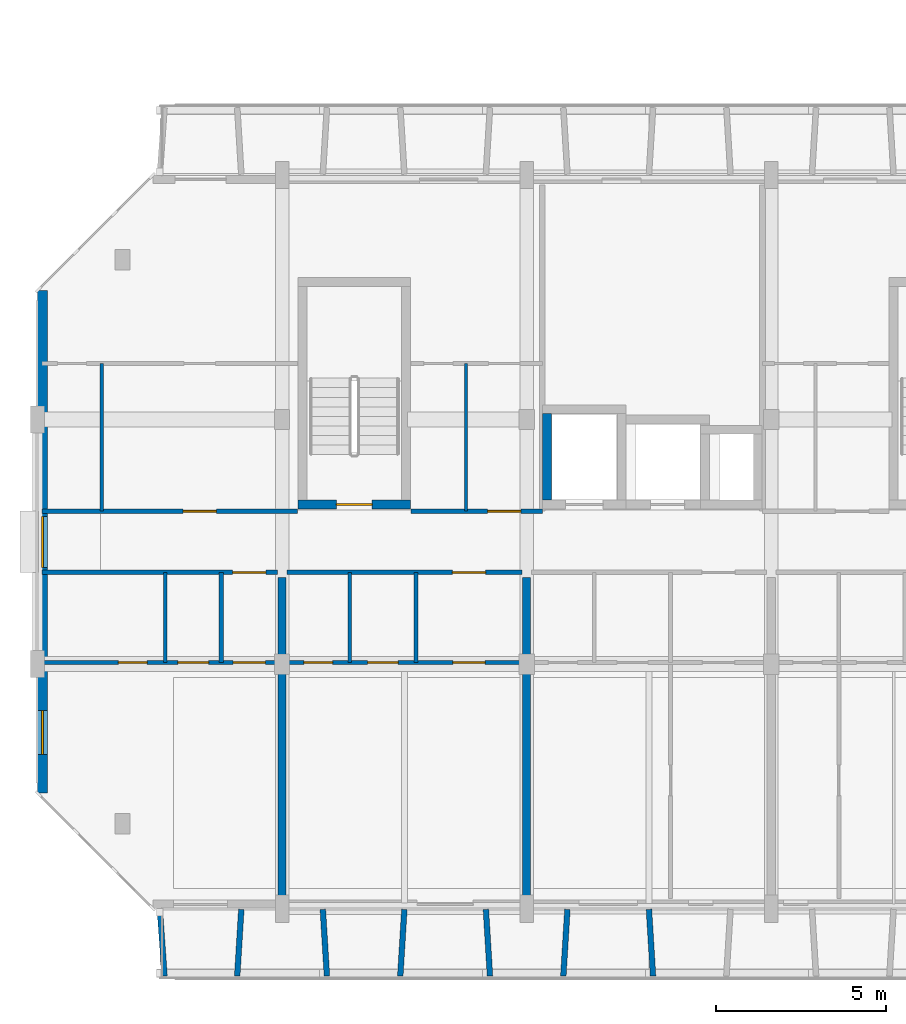
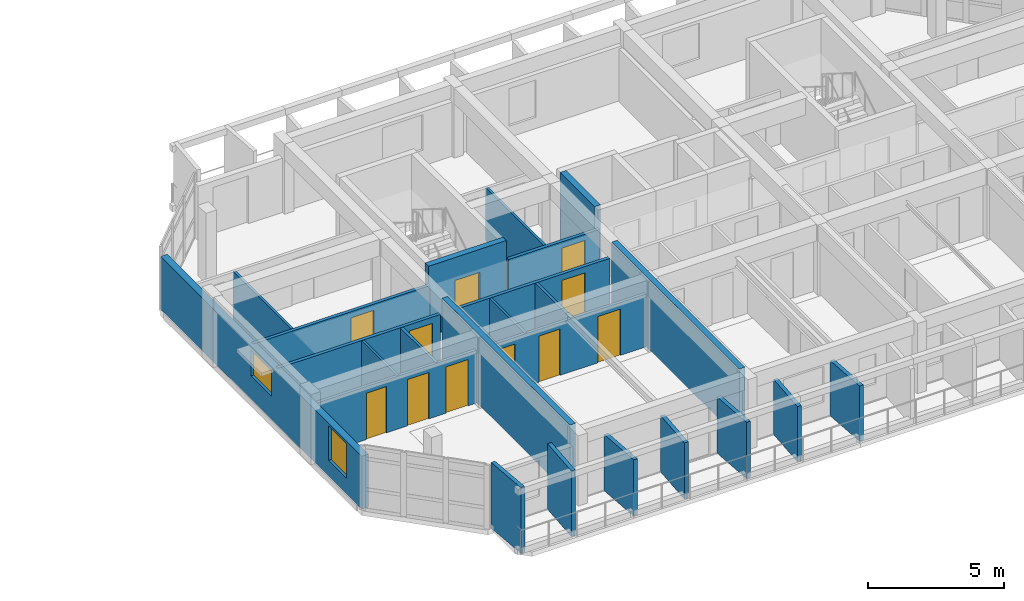
# One storey, part 16 of 45: 24 walls, 11 doors, 2 windows, 13 openings.
"""IFC4 building model written with IfcOpenShell, lengths in metres."""

from ifc_helpers import new_model, si_unit, direction, frame, frame_2d, origin, place, context, subcontext, project, spatial, rectangle, extrude, material, layer, layer_set, type_object, element, fill, save


model = new_model("IFC4")

# Units and contexts
model_context = context("Model", 3, precision=1e-05, world=origin(), true_north=direction((0.0, 1.0)))
body_context = subcontext(model_context, "Body", "Model", "MODEL_VIEW")
ifc_project = project(units=[si_unit("LENGTHUNIT", "METRE"), si_unit("AREAUNIT", "SQUARE_METRE"), si_unit("VOLUMEUNIT", "CUBIC_METRE"), si_unit("PLANEANGLEUNIT", "RADIAN"), si_unit("MASSUNIT", "GRAM", prefix="KILO")], contexts=[model_context])

# Site, building, storey
site_placement = place(None, origin())
site = spatial("IfcSite", under=ifc_project, at=site_placement, CompositionType="ELEMENT")
building_placement = place(site_placement, origin())
building = spatial("IfcBuilding", under=site, at=building_placement, Name="Ochrevale Crest", CompositionType="ELEMENT")
storey_placement = place(building_placement, frame((0.0, 0.0, 18.14990234375)))
storey = spatial("IfcBuildingStorey", under=building, at=storey_placement, Name="L05", CompositionType="ELEMENT", Elevation=18.14990234375)

# Wall, opening, door
ifc_material_1 = material(Name="Gypsum plasterboard", Category="gypsum")
ifc_layer_1 = layer(ifc_material_1, 0.139892578125)
ifc_layer_set_1 = layer_set([ifc_layer_1], Name="Gypsum plasterboard")
wall_type_1 = type_object("IfcWallType", Name="WL-COR-140", PredefinedType="PARTITIONING", material=ifc_layer_set_1)
wall_1_placement = place(storey_placement, frame((0.139892578125, 24.300048828125, 0.0), z_axis=(0.0, 0.0, 1.0), x_axis=(1.0, 0.0, 0.0)))
wall_1 = element("IfcWall", 1, at=wall_1_placement, inside=storey, type_object=wall_type_1, Name="Apartment A-L05-U1 corridor wall", PredefinedType="PARTITIONING", context=body_context, shape_type="SweptSolid", body=[
    extrude(rectangle(XDim=6.920166015625, YDim=0.139892578125, at=frame_2d((3.4599609375, 0.0))), origin(), (0.0, 0.0, 1.0), 2.380126953125),
])
opening_1_placement = place(wall_1_placement, frame((6.5849609375, 0.0, 0.0), z_axis=(0.0, 0.0, 1.0), x_axis=(-1.0, 0.0, 0.0)))
opening_1 = element("IfcOpeningElement", 2, at=opening_1_placement, cuts=wall_1, Name="Opening FD01", PredefinedType="OPENING", context=body_context, shape_type="SweptSolid", body=[
    extrude(rectangle(XDim=0.97998046875, YDim=2.10009765625, at=frame_2d((0.489990234375, 1.050048828125))), frame((0.0, 0.080078125, 0.0), z_axis=(0.0, -1.0, 0.0), x_axis=(1.0, 0.0, 0.0)), (0.0, 0.0, 1.0), 0.159912109375),
])
ifc_material_2 = material(Name="Solid-core FSC hardwood", Category="wood")
door_type_1 = type_object("IfcDoorType", Name="DR-APT-950", OperationType="NOTDEFINED", PredefinedType="DOOR", material=ifc_material_2)
door_1_placement = place(opening_1_placement, origin())
door_1 = element("IfcDoor", 3, at=door_1_placement, inside=storey, type_object=door_type_1, Name="Apartment A-L05-U1 entrance door", OperationType="SINGLE_SWING_RIGHT", OverallHeight=2.10009765625, OverallWidth=0.97998046875, PredefinedType="DOOR", context=body_context, shape_type="SweptSolid", body=[
    extrude(rectangle(XDim=0.97998046875, YDim=2.10009765625, at=frame_2d((0.489990234375, 1.050048828125))), frame((0.0, 0.02490234375, 0.0), z_axis=(0.0, -1.0, 0.0), x_axis=(1.0, 0.0, 0.0)), (0.0, 0.0, 1.0), 0.050048828125),
])
fill(opening_1, door_1)

wall_2_placement = place(storey_placement, frame((7.340087890625, 24.300048828125, 0.0), z_axis=(0.0, 0.0, 1.0), x_axis=(1.0, 0.0, 0.0)))
wall_2 = element("IfcWall", 4, at=wall_2_placement, inside=storey, type_object=wall_type_1, Name="Apartment A-L05-U2 corridor wall", PredefinedType="PARTITIONING", context=body_context, shape_type="SweptSolid", body=[
    extrude(rectangle(XDim=6.919921875, YDim=0.139892578125, at=frame_2d((3.4599609375, 0.0))), origin(), (0.0, 0.0, 1.0), 2.380126953125),
])
opening_2_placement = place(wall_2_placement, frame((5.85009765625, 0.0, 0.0), z_axis=(0.0, 0.0, 1.0), x_axis=(-1.0, 0.0, 0.0)))
opening_2 = element("IfcOpeningElement", 5, at=opening_2_placement, cuts=wall_2, Name="Opening FD01", PredefinedType="OPENING", context=body_context, shape_type="SweptSolid", body=[
    extrude(rectangle(XDim=0.97998046875, YDim=2.10009765625, at=frame_2d((0.489990234375, 1.050048828125))), frame((0.0, 0.080078125, 0.0), z_axis=(0.0, -1.0, 0.0), x_axis=(1.0, 0.0, 0.0)), (0.0, 0.0, 1.0), 0.159912109375),
])
door_2_placement = place(opening_2_placement, origin())
door_2 = element("IfcDoor", 6, at=door_2_placement, inside=storey, type_object=door_type_1, Name="Apartment A-L05-U2 entrance door", OperationType="SINGLE_SWING_RIGHT", OverallHeight=2.10009765625, OverallWidth=0.97998046875, PredefinedType="DOOR", context=body_context, shape_type="SweptSolid", body=[
    extrude(rectangle(XDim=0.97998046875, YDim=2.10009765625, at=frame_2d((0.489990234375, 1.050048828125))), frame((0.0, 0.02490234375, 0.0), z_axis=(0.0, -1.0, 0.0), x_axis=(1.0, 0.0, 0.0)), (0.0, 0.0, 1.0), 0.050048828125),
])
fill(opening_2, door_2)

wall_3_placement = place(storey_placement, frame((0.139892578125, 26.10009765625, 0.0), z_axis=(0.0, 0.0, 1.0), x_axis=(1.0, 0.0, 0.0)))
wall_3 = element("IfcWall", 7, at=wall_3_placement, inside=storey, type_object=wall_type_1, Name="Suite A-L05-CW corridor wall", PredefinedType="PARTITIONING", context=body_context, shape_type="SweptSolid", body=[
    extrude(rectangle(XDim=7.52001953125, YDim=0.139892578125, at=frame_2d((3.760009765625, 0.0))), origin(), (0.0, 0.0, 1.0), 2.380126953125),
])
opening_3_placement = place(wall_3_placement, frame((4.14501953125, 0.0, 0.0)))
opening_3 = element("IfcOpeningElement", 8, at=opening_3_placement, cuts=wall_3, Name="Opening FD01", PredefinedType="OPENING", context=body_context, shape_type="SweptSolid", body=[
    extrude(rectangle(XDim=0.97998046875, YDim=2.10009765625, at=frame_2d((0.489990234375, 1.050048828125))), frame((0.0, 0.080078125, 0.0), z_axis=(0.0, -1.0, 0.0), x_axis=(1.0, 0.0, 0.0)), (0.0, 0.0, 1.0), 0.159912109375),
])
door_3_placement = place(opening_3_placement, origin())
door_3 = element("IfcDoor", 9, at=door_3_placement, inside=storey, type_object=door_type_1, Name="Suite A-L05-CW entrance door", OperationType="SINGLE_SWING_LEFT", OverallHeight=2.10009765625, OverallWidth=0.97998046875, PredefinedType="DOOR", context=body_context, shape_type="SweptSolid", body=[
    extrude(rectangle(XDim=0.97998046875, YDim=2.10009765625, at=frame_2d((0.489990234375, 1.050048828125))), frame((0.0, 0.02490234375, 0.0), z_axis=(0.0, -1.0, 0.0), x_axis=(1.0, 0.0, 0.0)), (0.0, 0.0, 1.0), 0.050048828125),
])
fill(opening_3, door_3)

wall_4_placement = place(storey_placement, frame((10.989990234375, 26.10009765625, 0.0), z_axis=(0.0, 0.0, 1.0), x_axis=(1.0, 0.0, 0.0)))
wall_4 = element("IfcWall", 10, at=wall_4_placement, inside=storey, type_object=wall_type_1, Name="Suite A-L05-MW corridor wall", PredefinedType="PARTITIONING", context=body_context, shape_type="SweptSolid", body=[
    extrude(rectangle(XDim=3.8701171875, YDim=0.139892578125, at=frame_2d((1.93505859375, 0.0))), origin(), (0.0, 0.0, 1.0), 2.380126953125),
])
opening_4_placement = place(wall_4_placement, frame((3.23779296875, 0.0, 0.0), z_axis=(0.0, 0.0, 1.0), x_axis=(-1.0, 0.0, 0.0)))
opening_4 = element("IfcOpeningElement", 11, at=opening_4_placement, cuts=wall_4, Name="Opening FD01", PredefinedType="OPENING", context=body_context, shape_type="SweptSolid", body=[
    extrude(rectangle(XDim=0.97998046875, YDim=2.10009765625, at=frame_2d((0.489990234375, 1.050048828125))), frame((0.0, 0.080078125, 0.0), z_axis=(0.0, -1.0, 0.0), x_axis=(1.0, 0.0, 0.0)), (0.0, 0.0, 1.0), 0.159912109375),
])
door_4_placement = place(opening_4_placement, origin())
door_4 = element("IfcDoor", 12, at=door_4_placement, inside=storey, type_object=door_type_1, Name="Suite A-L05-MW entrance door", OperationType="SINGLE_SWING_RIGHT", OverallHeight=2.10009765625, OverallWidth=0.97998046875, PredefinedType="DOOR", context=body_context, shape_type="SweptSolid", body=[
    extrude(rectangle(XDim=0.97998046875, YDim=2.10009765625, at=frame_2d((0.489990234375, 1.050048828125))), frame((0.0, 0.02490234375, 0.0), z_axis=(0.0, -1.0, 0.0), x_axis=(1.0, 0.0, 0.0)), (0.0, 0.0, 1.0), 0.050048828125),
])
fill(opening_4, door_4)

ifc_material_3 = material(Name="Precast concrete C50/60", Category="concrete")
ifc_layer_2 = layer(ifc_material_3, 0.2548828125)
ifc_layer_set_2 = layer_set([ifc_layer_2], Name="Precast concrete C50/60")
wall_type_2 = type_object("IfcWallType", Name="WL-CORE-255", PredefinedType="SHEAR", material=ifc_layer_set_2)
wall_5_placement = place(storey_placement, frame((7.672607421875, 26.300048828125, 0.0), z_axis=(0.0, 0.0, 1.0), x_axis=(1.0, 0.0, 0.0)))
wall_5 = element("IfcWall", 13, at=wall_5_placement, inside=storey, type_object=wall_type_2, Name="Block A L05 Stair 1 precast core shear wall S", PredefinedType="SHEAR", context=body_context, shape_type="SweptSolid", body=[
    extrude(rectangle(XDim=3.304931640625, YDim=0.2548828125, at=frame_2d((1.65234375, 0.0))), origin(), (0.0, 0.0, 1.0), 3.150146484375),
])
opening_5_placement = place(wall_5_placement, frame((2.177490234375, 0.0, 0.0), z_axis=(0.0, 0.0, 1.0), x_axis=(-1.0, 0.0, 0.0)))
opening_5 = element("IfcOpeningElement", 14, at=opening_5_placement, cuts=wall_5, Name="Opening FD03", PredefinedType="OPENING", context=body_context, shape_type="SweptSolid", body=[
    extrude(rectangle(XDim=1.050048828125, YDim=2.1201171875, at=frame_2d((0.52490234375, 1.06005859375))), frame((0.0, 0.137451171875, 0.0), z_axis=(0.0, -1.0, 0.0), x_axis=(1.0, 0.0, 0.0)), (0.0, 0.0, 1.0), 0.27490234375),
])
door_type_2 = type_object("IfcDoorType", Name="DR-ST-1050", OperationType="NOTDEFINED", PredefinedType="DOOR", material=ifc_material_2)
door_5_placement = place(opening_5_placement, origin())
door_5 = element("IfcDoor", 15, at=door_5_placement, inside=storey, type_object=door_type_2, Name="Block A L05 fire stair 1 door", OperationType="SINGLE_SWING_RIGHT", OverallHeight=2.1201171875, OverallWidth=1.050048828125, PredefinedType="DOOR", context=body_context, shape_type="SweptSolid", body=[
    extrude(rectangle(XDim=1.050048828125, YDim=2.1201171875, at=frame_2d((0.52490234375, 1.06005859375))), frame((0.0, 0.02490234375, 0.0), z_axis=(0.0, -1.0, 0.0), x_axis=(1.0, 0.0, 0.0)), (0.0, 0.0, 1.0), 0.050048828125),
])
fill(opening_5, door_5)

# Wall
wall_6_placement = place(storey_placement, frame((15.0, 26.427490234375, 0.0), z_axis=(0.0, 0.0, 1.0), x_axis=(0.0, 1.0, 0.0)))
element("IfcWall", 16, at=wall_6_placement, inside=storey, type_object=wall_type_2, Name="Block A L05 Lift 1 precast shaft shear wall W", PredefinedType="SHEAR", context=body_context, shape_type="SweptSolid", body=[
    extrude(rectangle(XDim=2.544921875, YDim=0.2548828125, at=frame_2d((1.2724609375, 0.0))), origin(), (0.0, 0.0, 1.0), 3.150146484375),
])

# Wall, openings, windows
ifc_material_4 = material(Name="Clay face brickwork", Category="masonry")
ifc_layer_3 = layer(ifc_material_4, 0.2900390625)
ifc_layer_set_3 = layer_set([ifc_layer_3], Name="Clay face brickwork")
wall_type_3 = type_object("IfcWallType", Name="WL-EXT-BRICK-290", PredefinedType="SOLIDWALL", material=ifc_layer_set_3)
wall_7_placement = place(storey_placement, frame((0.14501953125, 32.60009765625, 0.0), z_axis=(0.0, 0.0, 1.0), x_axis=(0.0, -1.0, 0.0)))
wall_7 = element("IfcWall", 17, at=wall_7_placement, inside=storey, type_object=wall_type_3, Name="Block A L05 external facade wall E7", PredefinedType="SOLIDWALL", context=body_context, shape_type="SweptSolid", body=[
    extrude(rectangle(XDim=14.800048828125, YDim=0.2900390625, at=frame_2d((7.39990234375, 0.0))), origin(), (0.0, 0.0, 1.0), 2.380126953125),
])
opening_6_placement = place(wall_7_placement, frame((6.64990234375, 0.0, 1.050048828125)))
opening_6 = element("IfcOpeningElement", 18, at=opening_6_placement, cuts=wall_7, Name="Opening W18", PredefinedType="OPENING", context=body_context, shape_type="SweptSolid", body=[
    extrude(rectangle(XDim=1.5, YDim=1.14990234375, at=frame_2d((0.75, 0.574951171875))), frame((0.0, 0.155029296875, 0.0), z_axis=(0.0, -1.0, 0.0), x_axis=(1.0, 0.0, 0.0)), (0.0, 0.0, 1.0), 0.31005859375),
])
opening_7_placement = place(wall_7_placement, frame((12.364990234375, 0.0, 0.719970703125)))
opening_7 = element("IfcOpeningElement", 19, at=opening_7_placement, cuts=wall_7, Name="Opening W30", PredefinedType="OPENING", context=body_context, shape_type="SweptSolid", body=[
    extrude(rectangle(XDim=1.300048828125, YDim=1.550048828125, at=frame_2d((0.64990234375, 0.77490234375))), frame((0.0, 0.155029296875, 0.0), z_axis=(0.0, -1.0, 0.0), x_axis=(1.0, 0.0, 0.0)), (0.0, 0.0, 1.0), 0.31005859375),
])
ifc_material_5 = material(Name="Anodised aluminium 6063-T5 and low-E double glazing", Category="aluminium")
window_type_1 = type_object("IfcWindowType", Name="WIN-W18", PartitioningType="SINGLE_PANEL", PredefinedType="WINDOW", material=ifc_material_5)
window_1_placement = place(opening_6_placement, origin())
window_1 = element("IfcWindow", 20, at=window_1_placement, inside=storey, type_object=window_type_1, Name="Block A L05 corridor end daylight window W", OverallHeight=1.14990234375, OverallWidth=1.5, PartitioningType="SINGLE_PANEL", PredefinedType="WINDOW", context=body_context, shape_type="SweptSolid", body=[
    extrude(rectangle(XDim=1.5, YDim=1.14990234375, at=frame_2d((0.75, 0.574951171875))), frame((0.0, 0.030029296875, 0.0), z_axis=(0.0, -1.0, 0.0), x_axis=(1.0, 0.0, 0.0)), (0.0, 0.0, 1.0), 0.06005859375),
])
fill(opening_6, window_1)
window_type_2 = type_object("IfcWindowType", Name="WIN-W30", PartitioningType="SINGLE_PANEL", PredefinedType="WINDOW", material=ifc_material_5)
window_2_placement = place(opening_7_placement, origin())
window_2 = element("IfcWindow", 21, at=window_2_placement, inside=storey, type_object=window_type_2, Name="Block A L05 side suite window W", OverallHeight=1.550048828125, OverallWidth=1.300048828125, PartitioningType="SINGLE_PANEL", PredefinedType="WINDOW", context=body_context, shape_type="SweptSolid", body=[
    extrude(rectangle(XDim=1.300048828125, YDim=1.550048828125, at=frame_2d((0.64990234375, 0.77490234375))), frame((0.0, 0.030029296875, 0.0), z_axis=(0.0, -1.0, 0.0), x_axis=(1.0, 0.0, 0.0)), (0.0, 0.0, 1.0), 0.06005859375),
])
fill(opening_7, window_2)

# Walls
ifc_material_6 = material(Name="Precast concrete C40/50", Category="concrete")
ifc_layer_4 = layer(ifc_material_6, 0.1650390625)
ifc_layer_set_4 = layer_set([ifc_layer_4], Name="Precast concrete C40/50")
wall_type_4 = type_object("IfcWallType", Name="WL-HC-CHEEK-165", PredefinedType="ELEMENTEDWALL", material=ifc_layer_set_4)
wall_8_placement = place(storey_placement, frame((3.60009765625, 14.3798828125, 0.0), z_axis=(0.0, 0.0, 1.0), x_axis=(0.071194071069, -0.997462482625, 0.0)))
element("IfcWall", 22, at=wall_8_placement, inside=storey, type_object=wall_type_4, Name="Block A L05 S precast honeycomb cheek 1", PredefinedType="ELEMENTEDWALL", context=body_context, shape_type="SweptSolid", body=[
    extrude(rectangle(XDim=1.96484375, YDim=0.1650390625, at=frame_2d((0.982421875, 0.0))), origin(), (0.0, 0.0, 1.0), 2.9501953125),
])
wall_9_placement = place(storey_placement, frame((6.0, 14.3798828125, 0.0), z_axis=(0.0, 0.0, 1.0), x_axis=(-0.061170732449, -0.998127317276, 0.0)))
element("IfcWall", 23, at=wall_9_placement, inside=storey, type_object=wall_type_4, Name="Block A L05 S precast honeycomb cheek 2", PredefinedType="ELEMENTEDWALL", context=body_context, shape_type="SweptSolid", body=[
    extrude(rectangle(XDim=1.963623046875, YDim=0.1650390625, at=frame_2d((0.98193359375, 0.0))), origin(), (0.0, 0.0, 1.0), 2.9501953125),
])
for number, where, z_axis, x_axis, name in (
    (24, (8.39990234375, 14.3798828125, 0.0), (0.0, 0.0, 1.0), (0.061170732449, -0.998127317276, 0.0), "Block A L05 S precast honeycomb cheek 3"),
    (25, (10.800048828125, 14.3798828125, 0.0), (0.0, 0.0, 1.0), (-0.061170732449, -0.998127317276, 0.0), "Block A L05 S precast honeycomb cheek 4"),
    (26, (13.199951171875, 14.3798828125, 0.0), (0.0, 0.0, 1.0), (0.061170732449, -0.998127317276, 0.0), "Block A L05 S precast honeycomb cheek 5"),
):
    element("IfcWall", number, at=place(storey_placement, frame(where, z_axis=z_axis, x_axis=x_axis)), inside=storey, type_object=wall_type_4, Name=name, PredefinedType="ELEMENTEDWALL", context=body_context, shape_type="SweptSolid", body=[
        extrude(rectangle(XDim=1.963623046875, YDim=0.1650390625, at=frame_2d((0.98193359375, 0.0))), origin(), (0.0, 0.0, 1.0), 2.530029296875),
    ])
for number, where, z_axis, x_axis, name in (
    (27, (15.60009765625, 14.3798828125, 0.0), (0.0, 0.0, 1.0), (-0.061170732449, -0.998127317276, 0.0), "Block A L05 S precast honeycomb cheek 6"),
    (28, (18.0, 14.3798828125, 0.0), (0.0, 0.0, 1.0), (0.061170732449, -0.998127317276, 0.0), "Block A L05 S precast honeycomb cheek 7"),
):
    element("IfcWall", number, at=place(storey_placement, frame(where, z_axis=z_axis, x_axis=x_axis)), inside=storey, type_object=wall_type_4, Name=name, PredefinedType="ELEMENTEDWALL", context=body_context, shape_type="SweptSolid", body=[
        extrude(rectangle(XDim=1.963623046875, YDim=0.1650390625, at=frame_2d((0.98193359375, 0.0))), origin(), (0.0, 0.0, 1.0), 2.47998046875),
    ])
ifc_layer_5 = layer(ifc_material_1, 0.1201171875)
ifc_layer_set_5 = layer_set([ifc_layer_5], Name="Gypsum plasterboard")
wall_type_5 = type_object("IfcWallType", Name="WL-PART-120", PredefinedType="PARTITIONING", material=ifc_layer_set_5)
wall_10_placement = place(storey_placement, frame((5.409912109375, 21.64990234375, 0.0), z_axis=(0.0, 0.0, 1.0), x_axis=(0.0, 1.0, 0.0)))
element("IfcWall", 29, at=wall_10_placement, inside=storey, type_object=wall_type_5, Name="Apartment A-L05-U1 kitchen-foyer wall", PredefinedType="PARTITIONING", context=body_context, shape_type="SweptSolid", body=[
    extrude(rectangle(XDim=2.650146484375, YDim=0.1201171875, at=frame_2d((1.3251953125, 0.0))), origin(), (0.0, 0.0, 1.0), 2.375),
])

# Wall, openings, doors
wall_11_placement = place(storey_placement, frame((0.139892578125, 21.64990234375, 0.0), z_axis=(0.0, 0.0, 1.0), x_axis=(1.0, 0.0, 0.0)))
wall_11 = element("IfcWall", 30, at=wall_11_placement, inside=storey, type_object=wall_type_5, Name="Apartment A-L05-U1 central partition", PredefinedType="PARTITIONING", context=body_context, shape_type="SweptSolid", body=[
    extrude(rectangle(XDim=6.920166015625, YDim=0.1201171875, at=frame_2d((3.4599609375, 0.0))), origin(), (0.0, 0.0, 1.0), 2.375),
])
opening_8_placement = place(wall_11_placement, frame((2.239990234375, 0.0, 0.0)))
opening_8 = element("IfcOpeningElement", 31, at=opening_8_placement, cuts=wall_11, Name="Opening ID01", PredefinedType="OPENING", context=body_context, shape_type="SweptSolid", body=[
    extrude(rectangle(XDim=0.85009765625, YDim=2.080078125, at=frame_2d((0.425048828125, 1.0400390625))), frame((0.0, 0.070068359375, 0.0), z_axis=(0.0, -1.0, 0.0), x_axis=(1.0, 0.0, 0.0)), (0.0, 0.0, 1.0), 0.14013671875),
])
opening_9_placement = place(wall_11_placement, frame((4.89501953125, 0.0, 0.0), z_axis=(0.0, 0.0, 1.0), x_axis=(-1.0, 0.0, 0.0)))
opening_9 = element("IfcOpeningElement", 32, at=opening_9_placement, cuts=wall_11, Name="Opening ID02", PredefinedType="OPENING", context=body_context, shape_type="SweptSolid", body=[
    extrude(rectangle(XDim=0.89990234375, YDim=2.080078125, at=frame_2d((0.449951171875, 1.0400390625))), frame((0.0, 0.070068359375, 0.0), z_axis=(0.0, -1.0, 0.0), x_axis=(1.0, 0.0, 0.0)), (0.0, 0.0, 1.0), 0.14013671875),
])
opening_10_placement = place(wall_11_placement, frame((5.6201171875, 0.0, 0.0)))
opening_10 = element("IfcOpeningElement", 33, at=opening_10_placement, cuts=wall_11, Name="Opening ID06", PredefinedType="OPENING", context=body_context, shape_type="SweptSolid", body=[
    extrude(rectangle(XDim=0.949951171875, YDim=2.080078125, at=frame_2d((0.47509765625, 1.0400390625))), frame((0.0, 0.070068359375, 0.0), z_axis=(0.0, -1.0, 0.0), x_axis=(1.0, 0.0, 0.0)), (0.0, 0.0, 1.0), 0.14013671875),
])
door_type_3 = type_object("IfcDoorType", Name="DR-INT-900", OperationType="NOTDEFINED", PredefinedType="DOOR", material=ifc_material_2)
door_6_placement = place(opening_9_placement, origin())
door_6 = element("IfcDoor", 34, at=door_6_placement, inside=storey, type_object=door_type_3, Name="Apartment A-L05-U1 Kitchen door", OperationType="SINGLE_SWING_RIGHT", OverallHeight=2.080078125, OverallWidth=0.89990234375, PredefinedType="DOOR", context=body_context, shape_type="SweptSolid", body=[
    extrude(rectangle(XDim=0.89990234375, YDim=2.080078125, at=frame_2d((0.449951171875, 1.0400390625))), frame((0.0, 0.02490234375, 0.0), z_axis=(0.0, -1.0, 0.0), x_axis=(1.0, 0.0, 0.0)), (0.0, 0.0, 1.0), 0.050048828125),
])
fill(opening_9, door_6)
door_type_4 = type_object("IfcDoorType", Name="DR-INT-950", OperationType="NOTDEFINED", PredefinedType="DOOR", material=ifc_material_2)
door_7_placement = place(opening_10_placement, origin())
door_7 = element("IfcDoor", 35, at=door_7_placement, inside=storey, type_object=door_type_4, Name="Apartment A-L05-U1 Living Foyer door", OperationType="SINGLE_SWING_LEFT", OverallHeight=2.080078125, OverallWidth=0.949951171875, PredefinedType="DOOR", context=body_context, shape_type="SweptSolid", body=[
    extrude(rectangle(XDim=0.949951171875, YDim=2.080078125, at=frame_2d((0.47509765625, 1.0400390625))), frame((0.0, 0.02490234375, 0.0), z_axis=(0.0, -1.0, 0.0), x_axis=(1.0, 0.0, 0.0)), (0.0, 0.0, 1.0), 0.050048828125),
])
fill(opening_10, door_7)
door_type_5 = type_object("IfcDoorType", Name="DR-WC-850", OperationType="NOTDEFINED", PredefinedType="DOOR", material=ifc_material_2)
door_8_placement = place(opening_8_placement, origin())
door_8 = element("IfcDoor", 36, at=door_8_placement, inside=storey, type_object=door_type_5, Name="Apartment A-L05-U1 Bathroom door", OperationType="SINGLE_SWING_LEFT", OverallHeight=2.080078125, OverallWidth=0.85009765625, PredefinedType="DOOR", context=body_context, shape_type="SweptSolid", body=[
    extrude(rectangle(XDim=0.85009765625, YDim=2.080078125, at=frame_2d((0.425048828125, 1.0400390625))), frame((0.0, 0.02490234375, 0.0), z_axis=(0.0, -1.0, 0.0), x_axis=(1.0, 0.0, 0.0)), (0.0, 0.0, 1.0), 0.050048828125),
])
fill(opening_8, door_8)

# Wall
wall_12_placement = place(storey_placement, frame((11.139892578125, 21.64990234375, 0.0), z_axis=(0.0, 0.0, 1.0), x_axis=(0.0, 1.0, 0.0)))
element("IfcWall", 37, at=wall_12_placement, inside=storey, type_object=wall_type_5, Name="Apartment A-L05-U2 kitchen-foyer wall", PredefinedType="PARTITIONING", context=body_context, shape_type="SweptSolid", body=[
    extrude(rectangle(XDim=2.650146484375, YDim=0.1201171875, at=frame_2d((1.3251953125, 0.0))), origin(), (0.0, 0.0, 1.0), 2.375),
])

# Wall, openings, doors
wall_13_placement = place(storey_placement, frame((7.340087890625, 21.64990234375, 0.0), z_axis=(0.0, 0.0, 1.0), x_axis=(1.0, 0.0, 0.0)))
wall_13 = element("IfcWall", 38, at=wall_13_placement, inside=storey, type_object=wall_type_5, Name="Apartment A-L05-U2 central partition", PredefinedType="PARTITIONING", context=body_context, shape_type="SweptSolid", body=[
    extrude(rectangle(XDim=6.919921875, YDim=0.1201171875, at=frame_2d((3.4599609375, 0.0))), origin(), (0.0, 0.0, 1.0), 2.375),
])
opening_11_placement = place(wall_13_placement, frame((0.5, 0.0, 0.0)))
opening_11 = element("IfcOpeningElement", 39, at=opening_11_placement, cuts=wall_13, Name="Opening ID01", PredefinedType="OPENING", context=body_context, shape_type="SweptSolid", body=[
    extrude(rectangle(XDim=0.85009765625, YDim=2.080078125, at=frame_2d((0.425048828125, 1.0400390625))), frame((0.0, 0.070068359375, 0.0), z_axis=(0.0, -1.0, 0.0), x_axis=(1.0, 0.0, 0.0)), (0.0, 0.0, 1.0), 0.14013671875),
])
opening_12_placement = place(wall_13_placement, frame((3.27490234375, 0.0, 0.0), z_axis=(0.0, 0.0, 1.0), x_axis=(-1.0, 0.0, 0.0)))
opening_12 = element("IfcOpeningElement", 40, at=opening_12_placement, cuts=wall_13, Name="Opening ID02", PredefinedType="OPENING", context=body_context, shape_type="SweptSolid", body=[
    extrude(rectangle(XDim=0.89990234375, YDim=2.080078125, at=frame_2d((0.449951171875, 1.0400390625))), frame((0.0, 0.070068359375, 0.0), z_axis=(0.0, -1.0, 0.0), x_axis=(1.0, 0.0, 0.0)), (0.0, 0.0, 1.0), 0.14013671875),
])
opening_13_placement = place(wall_13_placement, frame((4.885009765625, 0.0, 0.0)))
opening_13 = element("IfcOpeningElement", 41, at=opening_13_placement, cuts=wall_13, Name="Opening ID06", PredefinedType="OPENING", context=body_context, shape_type="SweptSolid", body=[
    extrude(rectangle(XDim=0.949951171875, YDim=2.080078125, at=frame_2d((0.47509765625, 1.0400390625))), frame((0.0, 0.070068359375, 0.0), z_axis=(0.0, -1.0, 0.0), x_axis=(1.0, 0.0, 0.0)), (0.0, 0.0, 1.0), 0.14013671875),
])
door_9_placement = place(opening_12_placement, origin())
door_9 = element("IfcDoor", 42, at=door_9_placement, inside=storey, type_object=door_type_3, Name="Apartment A-L05-U2 Kitchen door", OperationType="SINGLE_SWING_RIGHT", OverallHeight=2.080078125, OverallWidth=0.89990234375, PredefinedType="DOOR", context=body_context, shape_type="SweptSolid", body=[
    extrude(rectangle(XDim=0.89990234375, YDim=2.080078125, at=frame_2d((0.449951171875, 1.0400390625))), frame((0.0, 0.02490234375, 0.0), z_axis=(0.0, -1.0, 0.0), x_axis=(1.0, 0.0, 0.0)), (0.0, 0.0, 1.0), 0.050048828125),
])
fill(opening_12, door_9)
door_10_placement = place(opening_13_placement, origin())
door_10 = element("IfcDoor", 43, at=door_10_placement, inside=storey, type_object=door_type_4, Name="Apartment A-L05-U2 Living Foyer door", OperationType="SINGLE_SWING_LEFT", OverallHeight=2.080078125, OverallWidth=0.949951171875, PredefinedType="DOOR", context=body_context, shape_type="SweptSolid", body=[
    extrude(rectangle(XDim=0.949951171875, YDim=2.080078125, at=frame_2d((0.47509765625, 1.0400390625))), frame((0.0, 0.02490234375, 0.0), z_axis=(0.0, -1.0, 0.0), x_axis=(1.0, 0.0, 0.0)), (0.0, 0.0, 1.0), 0.050048828125),
])
fill(opening_13, door_10)
door_11_placement = place(opening_11_placement, origin())
door_11 = element("IfcDoor", 44, at=door_11_placement, inside=storey, type_object=door_type_5, Name="Apartment A-L05-U2 Bathroom door", OperationType="SINGLE_SWING_LEFT", OverallHeight=2.080078125, OverallWidth=0.85009765625, PredefinedType="DOOR", context=body_context, shape_type="SweptSolid", body=[
    extrude(rectangle(XDim=0.85009765625, YDim=2.080078125, at=frame_2d((0.425048828125, 1.0400390625))), frame((0.0, 0.02490234375, 0.0), z_axis=(0.0, -1.0, 0.0), x_axis=(1.0, 0.0, 0.0)), (0.0, 0.0, 1.0), 0.050048828125),
])
fill(opening_11, door_11)

# Walls
ifc_layer_6 = layer(ifc_material_3, 0.239990234375)
ifc_layer_set_6 = layer_set([ifc_layer_6], Name="Precast concrete C50/60")
wall_type_6 = type_object("IfcWallType", Name="WL-SHEAR-240", PredefinedType="SHEAR", material=ifc_layer_set_6)
for number, where, z_axis, x_axis, name in (
    (45, (7.199951171875, 14.75, 0.0), (0.0, 0.0, 1.0), (0.0, 1.0, 0.0), "Block A L05 load-bearing precast cross-wall X=7.2"),
    (46, (14.39990234375, 14.75, 0.0), (0.0, 0.0, 1.0), (0.0, 1.0, 0.0), "Block A L05 load-bearing precast cross-wall X=14.4"),
):
    element("IfcWall", number, at=place(storey_placement, frame(where, z_axis=z_axis, x_axis=x_axis)), inside=storey, type_object=wall_type_6, Name=name, PredefinedType="SHEAR", context=body_context, shape_type="SweptSolid", body=[
        extrude(rectangle(XDim=9.39990234375, YDim=0.239990234375, at=frame_2d((4.699951171875, 0.0))), origin(), (0.0, 0.0, 1.0), 3.150146484375),
    ])
ifc_layer_7 = layer(ifc_material_1, 0.10009765625)
ifc_layer_set_7 = layer_set([ifc_layer_7], Name="Gypsum plasterboard")
wall_type_7 = type_object("IfcWallType", Name="WL-WET-100", PredefinedType="PARTITIONING", material=ifc_layer_set_7)
for number, where, z_axis, x_axis, name in (
    (47, (3.760009765625, 21.64990234375, 0.0), (0.0, 0.0, 1.0), (0.0, 1.0, 0.0), "Apartment A-L05-U1 bath-kitchen wall"),
    (48, (9.18994140625, 21.64990234375, 0.0), (0.0, 0.0, 1.0), (0.0, 1.0, 0.0), "Apartment A-L05-U2 bath-kitchen wall"),
):
    element("IfcWall", number, at=place(storey_placement, frame(where, z_axis=z_axis, x_axis=x_axis)), inside=storey, type_object=wall_type_7, Name=name, PredefinedType="PARTITIONING", context=body_context, shape_type="SweptSolid", body=[
        extrude(rectangle(XDim=2.650146484375, YDim=0.10009765625, at=frame_2d((1.3251953125, 0.0))), origin(), (0.0, 0.0, 1.0), 2.375),
    ])
for number, where, z_axis, x_axis, name in (
    (49, (1.889892578125, 26.10009765625, 0.0), (0.0, 0.0, 1.0), (0.0, 1.0, 0.0), "Suite A-L05-CW bathroom divider"),
    (50, (12.615478515625, 26.10009765625, 0.0), (0.0, 0.0, 1.0), (0.0, 1.0, 0.0), "Suite A-L05-MW bathroom divider"),
):
    element("IfcWall", number, at=place(storey_placement, frame(where, z_axis=z_axis, x_axis=x_axis)), inside=storey, type_object=wall_type_7, Name=name, PredefinedType="PARTITIONING", context=body_context, shape_type="SweptSolid", body=[
        extrude(rectangle(XDim=4.349853515625, YDim=0.10009765625, at=frame_2d((2.1748046875, 0.0))), origin(), (0.0, 0.0, 1.0), 2.375),
    ])

save(model, "model.ifc")
